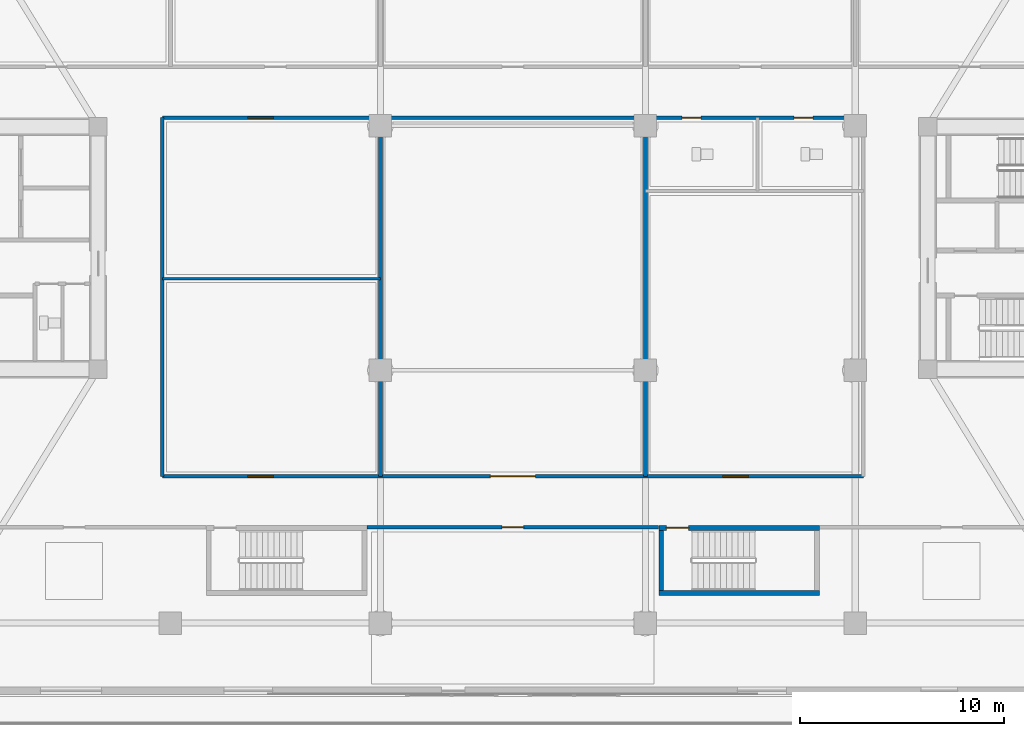
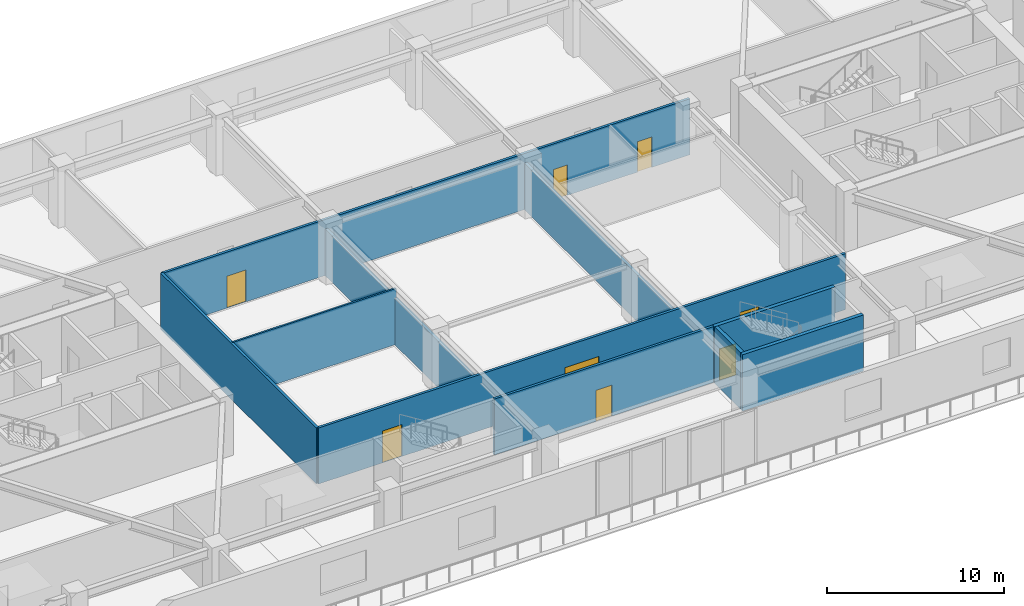
# One storey, part 7 of 23: 10 walls, 8 doors, 8 openings.
"""IFC4 building model written with IfcOpenShell, lengths in metres."""

from ifc_helpers import new_model, si_unit, direction, frame, frame_2d, origin, place, context, subcontext, project, spatial, rectangle, extrude, source, transform, mapped, material, layer, layer_set, type_object, type_shapes, element, fill, save


model = new_model("IFC4")

# Units and contexts
model_context = context("Model", 3, precision=1e-05, world=origin(), true_north=direction((0.0, 1.0)))
body_context = subcontext(model_context, "Body", "Model", "MODEL_VIEW")
ifc_project = project(units=[si_unit("LENGTHUNIT", "METRE"), si_unit("AREAUNIT", "SQUARE_METRE"), si_unit("VOLUMEUNIT", "CUBIC_METRE"), si_unit("PLANEANGLEUNIT", "RADIAN"), si_unit("MASSUNIT", "GRAM", prefix="KILO")], contexts=[model_context])

# Site, building, storey
site_placement = place(None, origin())
site = spatial("IfcSite", under=ifc_project, at=site_placement, CompositionType="ELEMENT")
building_placement = place(site_placement, origin())
building = spatial("IfcBuilding", under=site, at=building_placement, Name="Norrkilde Senior Care Towers", CompositionType="ELEMENT")
storey_placement = place(building_placement, frame((0.0, 0.0, 8.39990234375)))
storey = spatial("IfcBuildingStorey", under=building, at=storey_placement, Name="L02", CompositionType="ELEMENT", Elevation=8.39990234375)

# Wall
ifc_material_1 = material(Name="Gypsum Acoustic Board")
ifc_layer_1 = layer(ifc_material_1, 0.1650390625)
ifc_layer_set_1 = layer_set([ifc_layer_1], Name="Gypsum Acoustic Board")
wall_type_1 = type_object("IfcWallType", Name="Corridor Rated Partition 165", PredefinedType="PARTITIONING", material=ifc_layer_set_1)
shared_shape_1 = source(origin(), body_context, "Body", "SweptSolid", [
    extrude(rectangle(XDim=17.599853515625, YDim=0.1650390625, at=frame_2d((8.7998046875, 0.0))), origin(), (0.0, 0.0, 1.0), 3.864990234375),
])
wall_1_placement = place(storey_placement, frame((-17.199951171875, -11.199951171875, 0.0), z_axis=(0.0, 0.0, 1.0), x_axis=(0.0, 1.0, 0.0)))
element("IfcWall", 1, at=wall_1_placement, inside=storey, type_object=wall_type_1, Name="WL-INT-L02-POD-W", PredefinedType="PARTITIONING", context=body_context, shape_type="MappedRepresentation", body=[
    mapped(shared_shape_1, transform((0.0, 0.0, 0.0), x_axis=(1.0, 0.0, 0.0), y_axis=(0.0, 1.0, 0.0), z_axis=(0.0, 0.0, 1.0), scale=1.0)),
])

# Wall, openings, doors
shared_shape_2 = source(origin(), body_context, "Body", "SweptSolid", [
    extrude(rectangle(XDim=34.39990234375, YDim=0.1650390625, at=frame_2d((17.199951171875, 0.0))), origin(), (0.0, 0.0, 1.0), 3.864990234375),
])
wall_2_placement = place(storey_placement, frame((-17.199951171875, -11.199951171875, 0.0), z_axis=(0.0, 0.0, 1.0), x_axis=(1.0, 0.0, 0.0)))
wall_2 = element("IfcWall", 2, at=wall_2_placement, inside=storey, type_object=wall_type_1, Name="WL-INT-L02-POD-CS", PredefinedType="PARTITIONING", context=body_context, shape_type="MappedRepresentation", body=[
    mapped(shared_shape_2, transform((0.0, 0.0, 0.0), x_axis=(1.0, 0.0, 0.0), y_axis=(0.0, 1.0, 0.0), z_axis=(0.0, 0.0, 1.0), scale=1.0)),
])
opening_1_placement = place(wall_2_placement, frame((4.199951171875, 0.0, 0.0)))
opening_1 = element("IfcOpeningElement", 3, at=opening_1_placement, cuts=wall_2, Name="Opening D-05", PredefinedType="OPENING", context=body_context, shape_type="SweptSolid", body=[
    extrude(rectangle(XDim=1.25, YDim=2.199951171875, at=frame_2d((0.625, 1.10009765625))), frame((0.0, 0.092529296875, 0.0), z_axis=(0.0, -1.0, 0.0), x_axis=(1.0, 0.0, 0.0)), (0.0, 0.0, 1.0), 0.18505859375),
])
opening_2_placement = place(wall_2_placement, frame((16.10009765625, 0.0, 0.0)))
opening_2 = element("IfcOpeningElement", 4, at=opening_2_placement, cuts=wall_2, Name="Opening D-01I", PredefinedType="OPENING", context=body_context, shape_type="SweptSolid", body=[
    extrude(rectangle(XDim=2.199951171875, YDim=2.39990234375, at=frame_2d((1.10009765625, 1.199951171875))), frame((0.0, 0.092529296875, 0.0), z_axis=(0.0, -1.0, 0.0), x_axis=(1.0, 0.0, 0.0)), (0.0, 0.0, 1.0), 0.18505859375),
])
opening_3_placement = place(wall_2_placement, frame((27.5, 0.0, 0.0)))
opening_3 = element("IfcOpeningElement", 5, at=opening_3_placement, cuts=wall_2, Name="Opening D-05", PredefinedType="OPENING", context=body_context, shape_type="SweptSolid", body=[
    extrude(rectangle(XDim=1.25, YDim=2.199951171875, at=frame_2d((0.625, 1.10009765625))), frame((0.0, 0.092529296875, 0.0), z_axis=(0.0, -1.0, 0.0), x_axis=(1.0, 0.0, 0.0)), (0.0, 0.0, 1.0), 0.18505859375),
])
ifc_material_2 = material(Name="Nordic Ash Timber", Category="wood")
door_type_1 = type_object("IfcDoorType", Name="Care Bedroom Bariatric Door 1250x2200", OperationType="NOTDEFINED", PredefinedType="DOOR", material=ifc_material_2)
shared_shape_3 = source(origin(), body_context, "Body", "SweptSolid", [
    extrude(rectangle(XDim=1.25, YDim=2.199951171875, at=frame_2d((0.625, 1.10009765625))), frame((0.0, 0.02490234375, 0.0), z_axis=(0.0, -1.0, 0.0), x_axis=(1.0, 0.0, 0.0)), (0.0, 0.0, 1.0), 0.050048828125),
])
type_shapes(door_type_1, [shared_shape_3])
door_1_placement = place(opening_1_placement, origin())
door_1 = element("IfcDoor", 6, at=door_1_placement, inside=storey, type_object=door_type_1, Name="L02 Clinic West South Door", OperationType="SINGLE_SWING_LEFT", OverallHeight=2.199951171875, OverallWidth=1.25, PredefinedType="DOOR", context=body_context, shape_type="MappedRepresentation", body=[
    mapped(shared_shape_3, transform((0.0, 0.0, 0.0), x_axis=(1.0, 0.0, 0.0), y_axis=(0.0, 1.0, 0.0), z_axis=(0.0, 0.0, 1.0), scale=1.0)),
])
fill(opening_1, door_1)
door_2_placement = place(opening_3_placement, origin())
door_2 = element("IfcDoor", 7, at=door_2_placement, inside=storey, type_object=door_type_1, Name="L02 Clinic East South Door", OperationType="SINGLE_SWING_RIGHT", OverallHeight=2.199951171875, OverallWidth=1.25, PredefinedType="DOOR", context=body_context, shape_type="MappedRepresentation", body=[
    mapped(shared_shape_3, transform((0.0, 0.0, 0.0), x_axis=(1.0, 0.0, 0.0), y_axis=(0.0, 1.0, 0.0), z_axis=(0.0, 0.0, 1.0), scale=1.0)),
])
fill(opening_3, door_2)
ifc_material_3 = material(Name="Anodised Aluminium", Category="aluminium")
door_type_2 = type_object("IfcDoorType", Name="Interior Vestibule Double Glazed Door 2200x2400", OperationType="NOTDEFINED", PredefinedType="DOOR", material=ifc_material_3)
shared_shape_4 = source(origin(), body_context, "Body", "SweptSolid", [
    extrude(rectangle(XDim=2.199951171875, YDim=2.39990234375, at=frame_2d((1.10009765625, 1.199951171875))), frame((0.0, 0.02490234375, 0.0), z_axis=(0.0, -1.0, 0.0), x_axis=(1.0, 0.0, 0.0)), (0.0, 0.0, 1.0), 0.050048828125),
])
type_shapes(door_type_2, [shared_shape_4])
door_3_placement = place(opening_2_placement, origin())
door_3 = element("IfcDoor", 8, at=door_3_placement, inside=storey, type_object=door_type_2, Name="L02 Central Hall South Door", OperationType="DOUBLE_DOOR_SINGLE_SWING", OverallHeight=2.39990234375, OverallWidth=2.199951171875, PredefinedType="DOOR", context=body_context, shape_type="MappedRepresentation", body=[
    mapped(shared_shape_4, transform((0.0, 0.0, 0.0), x_axis=(1.0, 0.0, 0.0), y_axis=(0.0, 1.0, 0.0), z_axis=(0.0, 0.0, 1.0), scale=1.0)),
])
fill(opening_2, door_3)

wall_3_placement = place(storey_placement, frame((-17.199951171875, 6.39990234375, 0.0), z_axis=(0.0, 0.0, 1.0), x_axis=(1.0, 0.0, 0.0)))
wall_3 = element("IfcWall", 9, at=wall_3_placement, inside=storey, type_object=wall_type_1, Name="WL-INT-L02-POD-CN", PredefinedType="PARTITIONING", context=body_context, shape_type="MappedRepresentation", body=[
    mapped(shared_shape_2, transform((0.0, 0.0, 0.0), x_axis=(1.0, 0.0, 0.0), y_axis=(0.0, 1.0, 0.0), z_axis=(0.0, 0.0, 1.0), scale=1.0)),
])
opening_4_placement = place(wall_3_placement, frame((4.199951171875, 0.0, 0.0)))
opening_4 = element("IfcOpeningElement", 10, at=opening_4_placement, cuts=wall_3, Name="Opening D-05", PredefinedType="OPENING", context=body_context, shape_type="SweptSolid", body=[
    extrude(rectangle(XDim=1.25, YDim=2.199951171875, at=frame_2d((0.625, 1.10009765625))), frame((0.0, 0.092529296875, 0.0), z_axis=(0.0, -1.0, 0.0), x_axis=(1.0, 0.0, 0.0)), (0.0, 0.0, 1.0), 0.18505859375),
])
opening_5_placement = place(wall_3_placement, frame((25.5, 0.0, 0.0)))
opening_5 = element("IfcOpeningElement", 11, at=opening_5_placement, cuts=wall_3, Name="Opening D-08", PredefinedType="OPENING", context=body_context, shape_type="SweptSolid", body=[
    extrude(rectangle(XDim=0.919921875, YDim=2.10009765625, at=frame_2d((0.4599609375, 1.050048828125))), frame((0.0, 0.092529296875, 0.0), z_axis=(0.0, -1.0, 0.0), x_axis=(1.0, 0.0, 0.0)), (0.0, 0.0, 1.0), 0.18505859375),
])
opening_6_placement = place(wall_3_placement, frame((31.0, 0.0, 0.0)))
opening_6 = element("IfcOpeningElement", 12, at=opening_6_placement, cuts=wall_3, Name="Opening D-08", PredefinedType="OPENING", context=body_context, shape_type="SweptSolid", body=[
    extrude(rectangle(XDim=0.919921875, YDim=2.10009765625, at=frame_2d((0.4599609375, 1.050048828125))), frame((0.0, 0.092529296875, 0.0), z_axis=(0.0, -1.0, 0.0), x_axis=(1.0, 0.0, 0.0)), (0.0, 0.0, 1.0), 0.18505859375),
])
door_4_placement = place(opening_4_placement, frame((1.25, 0.0, 0.0), z_axis=(0.0, 0.0, 1.0), x_axis=(-1.0, 0.0, 0.0)))
door_4 = element("IfcDoor", 13, at=door_4_placement, inside=storey, type_object=door_type_1, Name="L02 Clinic West North Door", OperationType="SINGLE_SWING_RIGHT", OverallHeight=2.199951171875, OverallWidth=1.25, PredefinedType="DOOR", context=body_context, shape_type="MappedRepresentation", body=[
    mapped(shared_shape_3, transform((0.0, 0.0, 0.0), x_axis=(1.0, 0.0, 0.0), y_axis=(0.0, 1.0, 0.0), z_axis=(0.0, 0.0, 1.0), scale=1.0)),
])
fill(opening_4, door_4)
door_type_3 = type_object("IfcDoorType", Name="Accessible Wet Room Door 920x2100", OperationType="NOTDEFINED", PredefinedType="DOOR", material=ifc_material_2)
shared_shape_5 = source(origin(), body_context, "Body", "SweptSolid", [
    extrude(rectangle(XDim=0.919921875, YDim=2.10009765625, at=frame_2d((0.4599609375, 1.050048828125))), frame((0.0, 0.02490234375, 0.0), z_axis=(0.0, -1.0, 0.0), x_axis=(1.0, 0.0, 0.0)), (0.0, 0.0, 1.0), 0.050048828125),
])
type_shapes(door_type_3, [shared_shape_5])
door_5_placement = place(opening_5_placement, frame((0.919921875, 0.0, 0.0), z_axis=(0.0, 0.0, 1.0), x_axis=(-1.0, 0.0, 0.0)))
door_5 = element("IfcDoor", 14, at=door_5_placement, inside=storey, type_object=door_type_3, Name="L02 Accessible WC Door", OperationType="SINGLE_SWING_LEFT", OverallHeight=2.10009765625, OverallWidth=0.919921875, PredefinedType="DOOR", context=body_context, shape_type="MappedRepresentation", body=[
    mapped(shared_shape_5, transform((0.0, 0.0, 0.0), x_axis=(1.0, 0.0, 0.0), y_axis=(0.0, 1.0, 0.0), z_axis=(0.0, 0.0, 1.0), scale=1.0)),
])
fill(opening_5, door_5)
door_6_placement = place(opening_6_placement, frame((0.919921875, 0.0, 0.0), z_axis=(0.0, 0.0, 1.0), x_axis=(-1.0, 0.0, 0.0)))
door_6 = element("IfcDoor", 15, at=door_6_placement, inside=storey, type_object=door_type_3, Name="L02 Public Restroom Door", OperationType="SINGLE_SWING_RIGHT", OverallHeight=2.10009765625, OverallWidth=0.919921875, PredefinedType="DOOR", context=body_context, shape_type="MappedRepresentation", body=[
    mapped(shared_shape_5, transform((0.0, 0.0, 0.0), x_axis=(1.0, 0.0, 0.0), y_axis=(0.0, 1.0, 0.0), z_axis=(0.0, 0.0, 1.0), scale=1.0)),
])
fill(opening_6, door_6)

# Walls
ifc_layer_2 = layer(ifc_material_1, 0.18994140625)
ifc_layer_set_2 = layer_set([ifc_layer_2], Name="Gypsum Acoustic Board")
wall_type_2 = type_object("IfcWallType", Name="Unit Demising Acoustic Wall 190", PredefinedType="PARTITIONING", material=ifc_layer_set_2)
shared_shape_6 = source(origin(), body_context, "Body", "SweptSolid", [
    extrude(rectangle(XDim=17.599853515625, YDim=0.18994140625, at=frame_2d((8.7998046875, 0.0))), origin(), (0.0, 0.0, 1.0), 3.215087890625),
])
type_shapes(wall_type_2, [shared_shape_6])
for number, where, z_axis, x_axis, name in (
    (16, (-6.5, -11.199951171875, 0.0), (0.0, 0.0, 1.0), (0.0, 1.0, 0.0), "WL-INT-L02-POD-M1"),
    (17, (6.5, -11.199951171875, 0.0), (0.0, 0.0, 1.0), (0.0, 1.0, 0.0), "WL-INT-L02-POD-M2"),
):
    element("IfcWall", number, at=place(storey_placement, frame(where, z_axis=z_axis, x_axis=x_axis)), inside=storey, type_object=wall_type_2, Name=name, PredefinedType="PARTITIONING", context=body_context, shape_type="MappedRepresentation", body=[
        mapped(shared_shape_6, transform((0.0, 0.0, 0.0), x_axis=(1.0, 0.0, 0.0), y_axis=(0.0, 1.0, 0.0), z_axis=(0.0, 0.0, 1.0), scale=1.0)),
    ])
ifc_layer_3 = layer(ifc_material_1, 0.114990234375)
ifc_layer_set_3 = layer_set([ifc_layer_3], Name="Gypsum Acoustic Board")
wall_type_3 = type_object("IfcWallType", Name="Internal Room Partition 115", PredefinedType="PARTITIONING", material=ifc_layer_set_3)
shared_shape_7 = source(origin(), body_context, "Body", "SweptSolid", [
    extrude(rectangle(XDim=10.699951171875, YDim=0.114990234375, at=frame_2d((5.35009765625, 0.0))), origin(), (0.0, 0.0, 1.0), 3.864990234375),
])
type_shapes(wall_type_3, [shared_shape_7])
wall_4_placement = place(storey_placement, frame((-17.199951171875, -1.5, 0.0), z_axis=(0.0, 0.0, 1.0), x_axis=(1.0, 0.0, 0.0)))
element("IfcWall", 18, at=wall_4_placement, inside=storey, type_object=wall_type_3, Name="WL-INT-L02-POD-SL", PredefinedType="PARTITIONING", context=body_context, shape_type="MappedRepresentation", body=[
    mapped(shared_shape_7, transform((0.0, 0.0, 0.0), x_axis=(1.0, 0.0, 0.0), y_axis=(0.0, 1.0, 0.0), z_axis=(0.0, 0.0, 1.0), scale=1.0)),
])

# Wall, opening, door
ifc_material_4 = material(Name="Concrete C45/55", Category="concrete")
ifc_layer_4 = layer(ifc_material_4, 0.239990234375)
ifc_layer_set_4 = layer_set([ifc_layer_4], Name="Concrete C45/55")
wall_type_4 = type_object("IfcWallType", Name="Shaft and Stair Enclosure Wall 240", PredefinedType="PARTITIONING", material=ifc_layer_set_4)
shared_shape_8 = source(origin(), body_context, "Body", "SweptSolid", [
    extrude(rectangle(XDim=7.880126953125, YDim=0.239990234375, at=frame_2d((3.93994140625, 0.0))), origin(), (0.0, 0.0, 1.0), 3.880126953125),
])
wall_5_placement = place(storey_placement, frame((7.159912109375, -13.72998046875, 0.0), z_axis=(0.0, 0.0, 1.0), x_axis=(1.0, 0.0, 0.0)))
wall_5 = element("IfcWall", 19, at=wall_5_placement, inside=storey, type_object=wall_type_4, Name="WL-INT-L02-STP2-N", PredefinedType="PARTITIONING", context=body_context, shape_type="MappedRepresentation", body=[
    mapped(shared_shape_8, transform((0.0, 0.0, 0.0), x_axis=(1.0, 0.0, 0.0), y_axis=(0.0, 1.0, 0.0), z_axis=(0.0, 0.0, 1.0), scale=1.0)),
])
opening_7_placement = place(wall_5_placement, frame((0.3701171875, 0.0, 0.0)))
opening_7 = element("IfcOpeningElement", 20, at=opening_7_placement, cuts=wall_5, Name="Opening D-03", PredefinedType="OPENING", context=body_context, shape_type="SweptSolid", body=[
    extrude(rectangle(XDim=1.10009765625, YDim=2.14990234375, at=frame_2d((0.550048828125, 1.074951171875))), frame((0.0, 0.1298828125, 0.0), z_axis=(0.0, -1.0, 0.0), x_axis=(1.0, 0.0, 0.0)), (0.0, 0.0, 1.0), 0.260009765625),
])
ifc_material_5 = material(Name="Galvanised Painted Steel", Category="steel")
door_type_4 = type_object("IfcDoorType", Name="Stairwell Protected Fire Door 1100x2150", OperationType="NOTDEFINED", PredefinedType="DOOR", material=ifc_material_5)
shared_shape_9 = source(origin(), body_context, "Body", "SweptSolid", [
    extrude(rectangle(XDim=1.10009765625, YDim=2.14990234375, at=frame_2d((0.550048828125, 1.074951171875))), frame((0.0, 0.02490234375, 0.0), z_axis=(0.0, -1.0, 0.0), x_axis=(1.0, 0.0, 0.0)), (0.0, 0.0, 1.0), 0.050048828125),
])
type_shapes(door_type_4, [shared_shape_9])
door_7_placement = place(opening_7_placement, origin())
door_7 = element("IfcDoor", 21, at=door_7_placement, inside=storey, type_object=door_type_4, Name="L02 Podium Stair P2 Door", OperationType="SINGLE_SWING_LEFT", OverallHeight=2.14990234375, OverallWidth=1.10009765625, PredefinedType="DOOR", context=body_context, shape_type="MappedRepresentation", body=[
    mapped(shared_shape_9, transform((0.0, 0.0, 0.0), x_axis=(1.0, 0.0, 0.0), y_axis=(0.0, 1.0, 0.0), z_axis=(0.0, 0.0, 1.0), scale=1.0)),
])
fill(opening_7, door_7)

# Walls
wall_6_placement = place(storey_placement, frame((7.159912109375, -16.919921875, 0.0), z_axis=(0.0, 0.0, 1.0), x_axis=(1.0, 0.0, 0.0)))
element("IfcWall", 22, at=wall_6_placement, inside=storey, type_object=wall_type_4, Name="WL-INT-L02-STP2-S", PredefinedType="PARTITIONING", context=body_context, shape_type="MappedRepresentation", body=[
    mapped(shared_shape_8, transform((0.0, 0.0, 0.0), x_axis=(1.0, 0.0, 0.0), y_axis=(0.0, 1.0, 0.0), z_axis=(0.0, 0.0, 1.0), scale=1.0)),
])
shared_shape_10 = source(origin(), body_context, "Body", "SweptSolid", [
    extrude(rectangle(XDim=2.949951171875, YDim=0.239990234375, at=frame_2d((1.47509765625, 0.0))), origin(), (0.0, 0.0, 1.0), 3.880126953125),
])
type_shapes(wall_type_4, [shared_shape_8, shared_shape_10])
wall_7_placement = place(storey_placement, frame((7.280029296875, -16.800048828125, 0.0), z_axis=(0.0, 0.0, 1.0), x_axis=(0.0, 1.0, 0.0)))
element("IfcWall", 23, at=wall_7_placement, inside=storey, type_object=wall_type_4, Name="WL-INT-L02-STP2-W", PredefinedType="PARTITIONING", context=body_context, shape_type="MappedRepresentation", body=[
    mapped(shared_shape_10, transform((0.0, 0.0, 0.0), x_axis=(1.0, 0.0, 0.0), y_axis=(0.0, 1.0, 0.0), z_axis=(0.0, 0.0, 1.0), scale=1.0)),
])

# Wall, opening, door
shared_shape_11 = source(origin(), body_context, "Body", "SweptSolid", [
    extrude(rectangle(XDim=14.2998046875, YDim=0.1650390625, at=frame_2d((7.14990234375, 0.0))), origin(), (0.0, 0.0, 1.0), 3.864990234375),
])
type_shapes(wall_type_1, [shared_shape_1, shared_shape_2, shared_shape_11])
wall_8_placement = place(storey_placement, frame((-7.14990234375, -13.699951171875, 0.0), z_axis=(0.0, 0.0, 1.0), x_axis=(1.0, 0.0, 0.0)))
wall_8 = element("IfcWall", 24, at=wall_8_placement, inside=storey, type_object=wall_type_1, Name="WL-INT-L02-POD-SPM", PredefinedType="PARTITIONING", context=body_context, shape_type="MappedRepresentation", body=[
    mapped(shared_shape_11, transform((0.0, 0.0, 0.0), x_axis=(1.0, 0.0, 0.0), y_axis=(0.0, 1.0, 0.0), z_axis=(0.0, 0.0, 1.0), scale=1.0)),
])
opening_8_placement = place(wall_8_placement, frame((6.625, 0.0, 0.0)))
opening_8 = element("IfcOpeningElement", 25, at=opening_8_placement, cuts=wall_8, Name="Opening D-06", PredefinedType="OPENING", context=body_context, shape_type="SweptSolid", body=[
    extrude(rectangle(XDim=1.050048828125, YDim=2.14990234375, at=frame_2d((0.52490234375, 1.074951171875))), frame((0.0, 0.092529296875, 0.0), z_axis=(0.0, -1.0, 0.0), x_axis=(1.0, 0.0, 0.0)), (0.0, 0.0, 1.0), 0.18505859375),
])
door_type_5 = type_object("IfcDoorType", Name="Apartment Entrance Fire Door 1050x2150", OperationType="NOTDEFINED", PredefinedType="DOOR", material=ifc_material_2)
shared_shape_12 = source(origin(), body_context, "Body", "SweptSolid", [
    extrude(rectangle(XDim=1.050048828125, YDim=2.14990234375, at=frame_2d((0.52490234375, 1.074951171875))), frame((0.0, 0.02490234375, 0.0), z_axis=(0.0, -1.0, 0.0), x_axis=(1.0, 0.0, 0.0)), (0.0, 0.0, 1.0), 0.050048828125),
])
type_shapes(door_type_5, [shared_shape_12])
door_8_placement = place(opening_8_placement, frame((1.050048828125, 0.0, 0.0), z_axis=(0.0, 0.0, 1.0), x_axis=(-1.0, 0.0, 0.0)))
door_8 = element("IfcDoor", 26, at=door_8_placement, inside=storey, type_object=door_type_5, Name="L02 South Suite SMID Door", OperationType="SINGLE_SWING_LEFT", OverallHeight=2.14990234375, OverallWidth=1.050048828125, PredefinedType="DOOR", context=body_context, shape_type="MappedRepresentation", body=[
    mapped(shared_shape_12, transform((0.0, 0.0, 0.0), x_axis=(1.0, 0.0, 0.0), y_axis=(0.0, 1.0, 0.0), z_axis=(0.0, 0.0, 1.0), scale=1.0)),
])
fill(opening_8, door_8)

save(model, "model.ifc")
